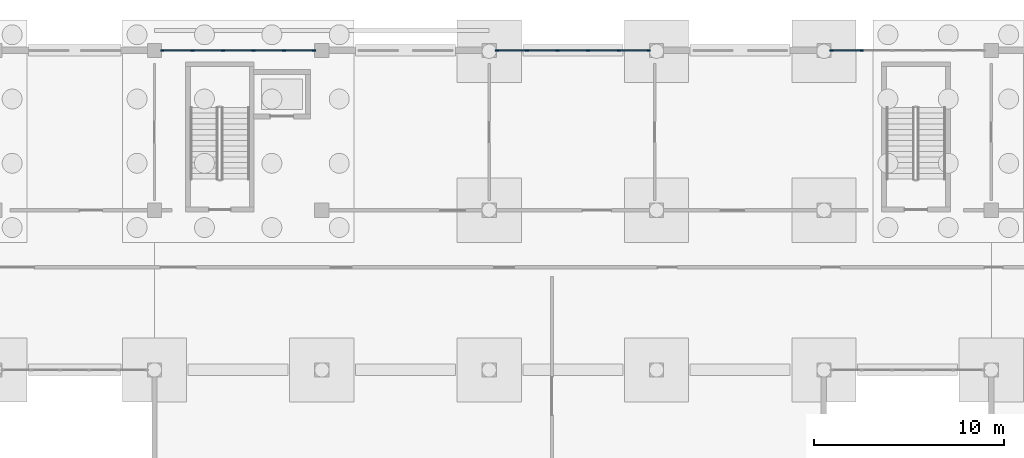
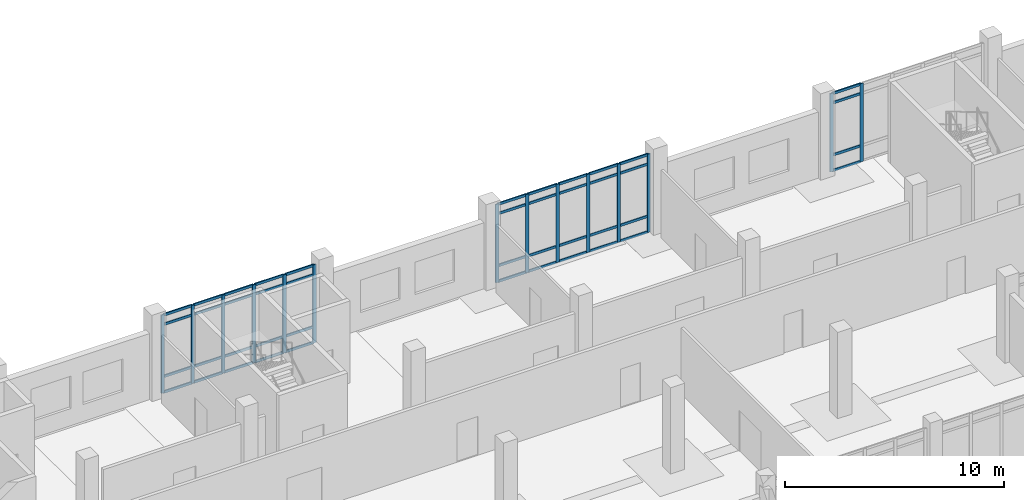
# One storey, part 23 of 72: 58 members, 3 elements without a shape of their own.
"""IFC4 building model written with IfcOpenShell, lengths in metres."""

from ifc_helpers import new_model, si_unit, direction, frame, origin, origin_2d, place, context, subcontext, project, spatial, rectangle, extrude, material, material_profile, profile_set, type_object, element, aggregate, save


model = new_model("IFC4")

# Units and contexts
model_context = context("Model", 3, precision=1e-05, world=origin(), true_north=direction((0.0, 1.0)))
body_context = subcontext(model_context, "Body", "Model", "MODEL_VIEW")
ifc_project = project(units=[si_unit("LENGTHUNIT", "METRE"), si_unit("AREAUNIT", "SQUARE_METRE"), si_unit("VOLUMEUNIT", "CUBIC_METRE"), si_unit("PLANEANGLEUNIT", "RADIAN"), si_unit("MASSUNIT", "GRAM", prefix="KILO")], contexts=[model_context])

# Site, building, storey
site_placement = place(None, origin())
site = spatial("IfcSite", under=ifc_project, at=site_placement, CompositionType="ELEMENT")
building_placement = place(site_placement, origin())
building = spatial("IfcBuilding", under=site, at=building_placement, Name="Cinderway Yard Community Centre", CompositionType="ELEMENT")
storey_placement = place(building_placement, origin())
storey = spatial("IfcBuildingStorey", under=building, at=storey_placement, Name="L00", CompositionType="ELEMENT", Elevation=0.0)

# Curtain wall, members
ifc_material = material(Name="Aluminium 6063-T6", Category="aluminium")
curtain_wall_type = type_object("IfcCurtainWallType", Name="ENV-CW-TYPE-25", PredefinedType="USERDEFINED", material=ifc_material)
curtain_wall_1_placement = place(storey_placement, origin())
curtain_wall_1 = element("IfcCurtainWall", 1, at=curtain_wall_1_placement, inside=storey, type_object=curtain_wall_type, Name="V4 Street Curtain Wall ENV-CW-L00-HS-0114", ObjectType="GLAZED CURTAIN WALL", PredefinedType="USERDEFINED")
ifc_material_profile_1 = material_profile(ifc_material, rectangle(XDim=0.06494140625, YDim=0.179931640625, at=origin_2d()), Name="Aluminium 6063-T6")
ifc_profile_set_1 = profile_set([ifc_material_profile_1], Name="Aluminium 6063-T6")
member_type_1 = type_object("IfcMemberType", Name="ENV-CW-MULL-180", PredefinedType="MULLION", material=ifc_profile_set_1)
member_1_placement = place(storey_placement, frame((75.610107421875, 115.199951171875, 0.0), z_axis=(0.0, 0.0, 1.0), x_axis=(0.0, 1.0, 0.0)))
member_1 = element("IfcMember", 2, at=member_1_placement, type_object=member_type_1, Name="CW-25 mullion 1", PredefinedType="MULLION", context=body_context, shape_type="SweptSolid", body=[
    extrude(rectangle(XDim=0.06494140625, YDim=0.179931640625, at=origin_2d()), origin(), (0.0, 0.0, 1.0), 4.35009765625),
])
member_2_placement = place(storey_placement, frame((77.18798828125, 115.199951171875, 0.0), z_axis=(0.0, 0.0, 1.0), x_axis=(0.0, 1.0, 0.0)))
member_2 = element("IfcMember", 3, at=member_2_placement, type_object=member_type_1, Name="CW-25 mullion 2", PredefinedType="MULLION", context=body_context, shape_type="SweptSolid", body=[
    extrude(rectangle(XDim=0.06494140625, YDim=0.179931640625, at=origin_2d()), origin(), (0.0, 0.0, 1.0), 4.35009765625),
])
member_3_placement = place(storey_placement, frame((78.7958984375, 115.199951171875, 0.0), z_axis=(0.0, 0.0, 1.0), x_axis=(0.0, 1.0, 0.0)))
member_3 = element("IfcMember", 4, at=member_3_placement, type_object=member_type_1, Name="CW-25 mullion 3", PredefinedType="MULLION", context=body_context, shape_type="SweptSolid", body=[
    extrude(rectangle(XDim=0.06494140625, YDim=0.179931640625, at=origin_2d()), origin(), (0.0, 0.0, 1.0), 4.35009765625),
])
member_4_placement = place(storey_placement, frame((80.404052734375, 115.199951171875, 0.0), z_axis=(0.0, 0.0, 1.0), x_axis=(0.0, 1.0, 0.0)))
member_4 = element("IfcMember", 5, at=member_4_placement, type_object=member_type_1, Name="CW-25 mullion 4", PredefinedType="MULLION", context=body_context, shape_type="SweptSolid", body=[
    extrude(rectangle(XDim=0.06494140625, YDim=0.179931640625, at=origin_2d()), origin(), (0.0, 0.0, 1.0), 4.35009765625),
])
member_5_placement = place(storey_placement, frame((82.011962890625, 115.199951171875, 0.0), z_axis=(0.0, 0.0, 1.0), x_axis=(0.0, 1.0, 0.0)))
member_5 = element("IfcMember", 6, at=member_5_placement, type_object=member_type_1, Name="CW-25 mullion 5", PredefinedType="MULLION", context=body_context, shape_type="SweptSolid", body=[
    extrude(rectangle(XDim=0.06494140625, YDim=0.179931640625, at=origin_2d()), origin(), (0.0, 0.0, 1.0), 4.35009765625),
])
member_6_placement = place(storey_placement, frame((83.590087890625, 115.199951171875, 0.0), z_axis=(0.0, 0.0, 1.0), x_axis=(0.0, 1.0, 0.0)))
member_6 = element("IfcMember", 7, at=member_6_placement, type_object=member_type_1, Name="CW-25 mullion 6", PredefinedType="MULLION", context=body_context, shape_type="SweptSolid", body=[
    extrude(rectangle(XDim=0.06494140625, YDim=0.179931640625, at=origin_2d()), origin(), (0.0, 0.0, 1.0), 4.35009765625),
])

curtain_wall_2_placement = place(storey_placement, origin())
curtain_wall_2 = element("IfcCurtainWall", 8, at=curtain_wall_2_placement, inside=storey, type_object=curtain_wall_type, Name="V4 Street Curtain Wall ENV-CW-L00-HS-0115", ObjectType="GLAZED CURTAIN WALL", PredefinedType="USERDEFINED")
member_7_placement = place(storey_placement, frame((93.2099609375, 115.199951171875, 0.0), z_axis=(0.0, 0.0, 1.0), x_axis=(0.0, 1.0, 0.0)))
member_7 = element("IfcMember", 9, at=member_7_placement, type_object=member_type_1, Name="CW-25 mullion 1", PredefinedType="MULLION", context=body_context, shape_type="SweptSolid", body=[
    extrude(rectangle(XDim=0.06494140625, YDim=0.179931640625, at=origin_2d()), origin(), (0.0, 0.0, 1.0), 4.35009765625),
])
member_8_placement = place(storey_placement, frame((94.7880859375, 115.199951171875, 0.0), z_axis=(0.0, 0.0, 1.0), x_axis=(0.0, 1.0, 0.0)))
member_8 = element("IfcMember", 10, at=member_8_placement, type_object=member_type_1, Name="CW-25 mullion 2", PredefinedType="MULLION", context=body_context, shape_type="SweptSolid", body=[
    extrude(rectangle(XDim=0.06494140625, YDim=0.179931640625, at=origin_2d()), origin(), (0.0, 0.0, 1.0), 4.35009765625),
])
member_9_placement = place(storey_placement, frame((96.39599609375, 115.199951171875, 0.0), z_axis=(0.0, 0.0, 1.0), x_axis=(0.0, 1.0, 0.0)))
member_9 = element("IfcMember", 11, at=member_9_placement, type_object=member_type_1, Name="CW-25 mullion 3", PredefinedType="MULLION", context=body_context, shape_type="SweptSolid", body=[
    extrude(rectangle(XDim=0.06494140625, YDim=0.179931640625, at=origin_2d()), origin(), (0.0, 0.0, 1.0), 4.35009765625),
])
member_10_placement = place(storey_placement, frame((98.00390625, 115.199951171875, 0.0), z_axis=(0.0, 0.0, 1.0), x_axis=(0.0, 1.0, 0.0)))
member_10 = element("IfcMember", 12, at=member_10_placement, type_object=member_type_1, Name="CW-25 mullion 4", PredefinedType="MULLION", context=body_context, shape_type="SweptSolid", body=[
    extrude(rectangle(XDim=0.06494140625, YDim=0.179931640625, at=origin_2d()), origin(), (0.0, 0.0, 1.0), 4.35009765625),
])
member_11_placement = place(storey_placement, frame((99.612060546875, 115.199951171875, 0.0), z_axis=(0.0, 0.0, 1.0), x_axis=(0.0, 1.0, 0.0)))
member_11 = element("IfcMember", 13, at=member_11_placement, type_object=member_type_1, Name="CW-25 mullion 5", PredefinedType="MULLION", context=body_context, shape_type="SweptSolid", body=[
    extrude(rectangle(XDim=0.06494140625, YDim=0.179931640625, at=origin_2d()), origin(), (0.0, 0.0, 1.0), 4.35009765625),
])
member_12_placement = place(storey_placement, frame((101.18994140625, 115.199951171875, 0.0), z_axis=(0.0, 0.0, 1.0), x_axis=(0.0, 1.0, 0.0)))
member_12 = element("IfcMember", 14, at=member_12_placement, type_object=member_type_1, Name="CW-25 mullion 6", PredefinedType="MULLION", context=body_context, shape_type="SweptSolid", body=[
    extrude(rectangle(XDim=0.06494140625, YDim=0.179931640625, at=origin_2d()), origin(), (0.0, 0.0, 1.0), 4.35009765625),
])

curtain_wall_3_placement = place(storey_placement, origin())
curtain_wall_3 = element("IfcCurtainWall", 15, at=curtain_wall_3_placement, inside=storey, type_object=curtain_wall_type, Name="V4 Street Curtain Wall ENV-CW-L00-HS-0118", ObjectType="GLAZED CURTAIN WALL", PredefinedType="USERDEFINED")
member_13_placement = place(storey_placement, frame((110.81005859375, 115.199951171875, 0.0), z_axis=(0.0, 0.0, 1.0), x_axis=(0.0, 1.0, 0.0)))
member_13 = element("IfcMember", 16, at=member_13_placement, type_object=member_type_1, Name="CW-25 mullion 1", PredefinedType="MULLION", context=body_context, shape_type="SweptSolid", body=[
    extrude(rectangle(XDim=0.06494140625, YDim=0.179931640625, at=origin_2d()), origin(), (0.0, 0.0, 1.0), 4.35009765625),
])
member_14_placement = place(storey_placement, frame((112.387939453125, 115.199951171875, 0.0), z_axis=(0.0, 0.0, 1.0), x_axis=(0.0, 1.0, 0.0)))
member_14 = element("IfcMember", 17, at=member_14_placement, type_object=member_type_1, Name="CW-25 mullion 2", PredefinedType="MULLION", context=body_context, shape_type="SweptSolid", body=[
    extrude(rectangle(XDim=0.06494140625, YDim=0.179931640625, at=origin_2d()), origin(), (0.0, 0.0, 1.0), 4.35009765625),
])

# Member
ifc_material_profile_2 = material_profile(ifc_material, rectangle(XDim=0.06494140625, YDim=0.139892578125, at=origin_2d()), Name="Aluminium 6063-T6")
ifc_profile_set_2 = profile_set([ifc_material_profile_2], Name="Aluminium 6063-T6")
member_type_2 = type_object("IfcMemberType", Name="ENV-CW-TRAN-140", PredefinedType="USERDEFINED", material=ifc_profile_set_2)
member_15_placement = place(storey_placement, frame((75.639892578125, 115.199951171875, 0.030029296875), z_axis=(1.0, 0.0, 0.0), x_axis=(0.0, 1.0, 0.0)))
member_15 = element("IfcMember", 18, at=member_15_placement, type_object=member_type_2, Name="CW-25 transom 1.1", ObjectType="TRANSOM", PredefinedType="USERDEFINED", context=body_context, shape_type="SweptSolid", body=[
    extrude(rectangle(XDim=0.06494140625, YDim=0.139892578125, at=origin_2d()), origin(), (0.0, 0.0, 1.0), 1.51806640625),
])

member_16_placement = place(storey_placement, frame((75.639892578125, 115.199951171875, 0.89990234375), z_axis=(1.0, 0.0, 0.0), x_axis=(0.0, 1.0, 0.0)))
member_16 = element("IfcMember", 19, at=member_16_placement, type_object=member_type_2, Name="CW-25 transom 1.2", ObjectType="TRANSOM", PredefinedType="USERDEFINED", context=body_context, shape_type="SweptSolid", body=[
    extrude(rectangle(XDim=0.06494140625, YDim=0.139892578125, at=origin_2d()), origin(), (0.0, 0.0, 1.0), 1.51806640625),
])

member_17_placement = place(storey_placement, frame((75.639892578125, 115.199951171875, 3.800048828125), z_axis=(1.0, 0.0, 0.0), x_axis=(0.0, 1.0, 0.0)))
member_17 = element("IfcMember", 20, at=member_17_placement, type_object=member_type_2, Name="CW-25 transom 1.3", ObjectType="TRANSOM", PredefinedType="USERDEFINED", context=body_context, shape_type="SweptSolid", body=[
    extrude(rectangle(XDim=0.06494140625, YDim=0.139892578125, at=origin_2d()), origin(), (0.0, 0.0, 1.0), 1.51806640625),
])

member_18_placement = place(storey_placement, frame((75.639892578125, 115.199951171875, 4.320068359375), z_axis=(1.0, 0.0, 0.0), x_axis=(0.0, 1.0, 0.0)))
member_18 = element("IfcMember", 21, at=member_18_placement, type_object=member_type_2, Name="CW-25 transom 1.4", ObjectType="TRANSOM", PredefinedType="USERDEFINED", context=body_context, shape_type="SweptSolid", body=[
    extrude(rectangle(XDim=0.06494140625, YDim=0.139892578125, at=origin_2d()), origin(), (0.0, 0.0, 1.0), 1.51806640625),
])

member_19_placement = place(storey_placement, frame((77.218017578125, 115.199951171875, 0.030029296875), z_axis=(1.0, 0.0, 0.0), x_axis=(0.0, 1.0, 0.0)))
member_19 = element("IfcMember", 22, at=member_19_placement, type_object=member_type_2, Name="CW-25 transom 2.1", ObjectType="TRANSOM", PredefinedType="USERDEFINED", context=body_context, shape_type="SweptSolid", body=[
    extrude(rectangle(XDim=0.06494140625, YDim=0.139892578125, at=origin_2d()), origin(), (0.0, 0.0, 1.0), 1.548095703125),
])

member_20_placement = place(storey_placement, frame((77.218017578125, 115.199951171875, 0.89990234375), z_axis=(1.0, 0.0, 0.0), x_axis=(0.0, 1.0, 0.0)))
member_20 = element("IfcMember", 23, at=member_20_placement, type_object=member_type_2, Name="CW-25 transom 2.2", ObjectType="TRANSOM", PredefinedType="USERDEFINED", context=body_context, shape_type="SweptSolid", body=[
    extrude(rectangle(XDim=0.06494140625, YDim=0.139892578125, at=origin_2d()), origin(), (0.0, 0.0, 1.0), 1.548095703125),
])

member_21_placement = place(storey_placement, frame((77.218017578125, 115.199951171875, 3.800048828125), z_axis=(1.0, 0.0, 0.0), x_axis=(0.0, 1.0, 0.0)))
member_21 = element("IfcMember", 24, at=member_21_placement, type_object=member_type_2, Name="CW-25 transom 2.3", ObjectType="TRANSOM", PredefinedType="USERDEFINED", context=body_context, shape_type="SweptSolid", body=[
    extrude(rectangle(XDim=0.06494140625, YDim=0.139892578125, at=origin_2d()), origin(), (0.0, 0.0, 1.0), 1.548095703125),
])

member_22_placement = place(storey_placement, frame((77.218017578125, 115.199951171875, 4.320068359375), z_axis=(1.0, 0.0, 0.0), x_axis=(0.0, 1.0, 0.0)))
member_22 = element("IfcMember", 25, at=member_22_placement, type_object=member_type_2, Name="CW-25 transom 2.4", ObjectType="TRANSOM", PredefinedType="USERDEFINED", context=body_context, shape_type="SweptSolid", body=[
    extrude(rectangle(XDim=0.06494140625, YDim=0.139892578125, at=origin_2d()), origin(), (0.0, 0.0, 1.0), 1.548095703125),
])

member_23_placement = place(storey_placement, frame((78.825927734375, 115.199951171875, 0.030029296875), z_axis=(1.0, 0.0, 0.0), x_axis=(0.0, 1.0, 0.0)))
member_23 = element("IfcMember", 26, at=member_23_placement, type_object=member_type_2, Name="CW-25 transom 3.1", ObjectType="TRANSOM", PredefinedType="USERDEFINED", context=body_context, shape_type="SweptSolid", body=[
    extrude(rectangle(XDim=0.06494140625, YDim=0.139892578125, at=origin_2d()), origin(), (0.0, 0.0, 1.0), 1.548095703125),
])

member_24_placement = place(storey_placement, frame((78.825927734375, 115.199951171875, 0.89990234375), z_axis=(1.0, 0.0, 0.0), x_axis=(0.0, 1.0, 0.0)))
member_24 = element("IfcMember", 27, at=member_24_placement, type_object=member_type_2, Name="CW-25 transom 3.2", ObjectType="TRANSOM", PredefinedType="USERDEFINED", context=body_context, shape_type="SweptSolid", body=[
    extrude(rectangle(XDim=0.06494140625, YDim=0.139892578125, at=origin_2d()), origin(), (0.0, 0.0, 1.0), 1.548095703125),
])

member_25_placement = place(storey_placement, frame((78.825927734375, 115.199951171875, 3.800048828125), z_axis=(1.0, 0.0, 0.0), x_axis=(0.0, 1.0, 0.0)))
member_25 = element("IfcMember", 28, at=member_25_placement, type_object=member_type_2, Name="CW-25 transom 3.3", ObjectType="TRANSOM", PredefinedType="USERDEFINED", context=body_context, shape_type="SweptSolid", body=[
    extrude(rectangle(XDim=0.06494140625, YDim=0.139892578125, at=origin_2d()), origin(), (0.0, 0.0, 1.0), 1.548095703125),
])

member_26_placement = place(storey_placement, frame((78.825927734375, 115.199951171875, 4.320068359375), z_axis=(1.0, 0.0, 0.0), x_axis=(0.0, 1.0, 0.0)))
member_26 = element("IfcMember", 29, at=member_26_placement, type_object=member_type_2, Name="CW-25 transom 3.4", ObjectType="TRANSOM", PredefinedType="USERDEFINED", context=body_context, shape_type="SweptSolid", body=[
    extrude(rectangle(XDim=0.06494140625, YDim=0.139892578125, at=origin_2d()), origin(), (0.0, 0.0, 1.0), 1.548095703125),
])

member_27_placement = place(storey_placement, frame((80.43408203125, 115.199951171875, 0.030029296875), z_axis=(1.0, 0.0, 0.0), x_axis=(0.0, 1.0, 0.0)))
member_27 = element("IfcMember", 30, at=member_27_placement, type_object=member_type_2, Name="CW-25 transom 4.1", ObjectType="TRANSOM", PredefinedType="USERDEFINED", context=body_context, shape_type="SweptSolid", body=[
    extrude(rectangle(XDim=0.06494140625, YDim=0.139892578125, at=origin_2d()), origin(), (0.0, 0.0, 1.0), 1.5478515625),
])

member_28_placement = place(storey_placement, frame((80.43408203125, 115.199951171875, 0.89990234375), z_axis=(1.0, 0.0, 0.0), x_axis=(0.0, 1.0, 0.0)))
member_28 = element("IfcMember", 31, at=member_28_placement, type_object=member_type_2, Name="CW-25 transom 4.2", ObjectType="TRANSOM", PredefinedType="USERDEFINED", context=body_context, shape_type="SweptSolid", body=[
    extrude(rectangle(XDim=0.06494140625, YDim=0.139892578125, at=origin_2d()), origin(), (0.0, 0.0, 1.0), 1.5478515625),
])

member_29_placement = place(storey_placement, frame((80.43408203125, 115.199951171875, 3.800048828125), z_axis=(1.0, 0.0, 0.0), x_axis=(0.0, 1.0, 0.0)))
member_29 = element("IfcMember", 32, at=member_29_placement, type_object=member_type_2, Name="CW-25 transom 4.3", ObjectType="TRANSOM", PredefinedType="USERDEFINED", context=body_context, shape_type="SweptSolid", body=[
    extrude(rectangle(XDim=0.06494140625, YDim=0.139892578125, at=origin_2d()), origin(), (0.0, 0.0, 1.0), 1.5478515625),
])

member_30_placement = place(storey_placement, frame((80.43408203125, 115.199951171875, 4.320068359375), z_axis=(1.0, 0.0, 0.0), x_axis=(0.0, 1.0, 0.0)))
member_30 = element("IfcMember", 33, at=member_30_placement, type_object=member_type_2, Name="CW-25 transom 4.4", ObjectType="TRANSOM", PredefinedType="USERDEFINED", context=body_context, shape_type="SweptSolid", body=[
    extrude(rectangle(XDim=0.06494140625, YDim=0.139892578125, at=origin_2d()), origin(), (0.0, 0.0, 1.0), 1.5478515625),
])

member_31_placement = place(storey_placement, frame((82.0419921875, 115.199951171875, 0.030029296875), z_axis=(1.0, 0.0, 0.0), x_axis=(0.0, 1.0, 0.0)))
member_31 = element("IfcMember", 34, at=member_31_placement, type_object=member_type_2, Name="CW-25 transom 5.1", ObjectType="TRANSOM", PredefinedType="USERDEFINED", context=body_context, shape_type="SweptSolid", body=[
    extrude(rectangle(XDim=0.06494140625, YDim=0.139892578125, at=origin_2d()), origin(), (0.0, 0.0, 1.0), 1.51806640625),
])

member_32_placement = place(storey_placement, frame((82.0419921875, 115.199951171875, 0.89990234375), z_axis=(1.0, 0.0, 0.0), x_axis=(0.0, 1.0, 0.0)))
member_32 = element("IfcMember", 35, at=member_32_placement, type_object=member_type_2, Name="CW-25 transom 5.2", ObjectType="TRANSOM", PredefinedType="USERDEFINED", context=body_context, shape_type="SweptSolid", body=[
    extrude(rectangle(XDim=0.06494140625, YDim=0.139892578125, at=origin_2d()), origin(), (0.0, 0.0, 1.0), 1.51806640625),
])

member_33_placement = place(storey_placement, frame((82.0419921875, 115.199951171875, 3.800048828125), z_axis=(1.0, 0.0, 0.0), x_axis=(0.0, 1.0, 0.0)))
member_33 = element("IfcMember", 36, at=member_33_placement, type_object=member_type_2, Name="CW-25 transom 5.3", ObjectType="TRANSOM", PredefinedType="USERDEFINED", context=body_context, shape_type="SweptSolid", body=[
    extrude(rectangle(XDim=0.06494140625, YDim=0.139892578125, at=origin_2d()), origin(), (0.0, 0.0, 1.0), 1.51806640625),
])

member_34_placement = place(storey_placement, frame((82.0419921875, 115.199951171875, 4.320068359375), z_axis=(1.0, 0.0, 0.0), x_axis=(0.0, 1.0, 0.0)))
member_34 = element("IfcMember", 37, at=member_34_placement, type_object=member_type_2, Name="CW-25 transom 5.4", ObjectType="TRANSOM", PredefinedType="USERDEFINED", context=body_context, shape_type="SweptSolid", body=[
    extrude(rectangle(XDim=0.06494140625, YDim=0.139892578125, at=origin_2d()), origin(), (0.0, 0.0, 1.0), 1.51806640625),
])

aggregate(curtain_wall_1, [member_1, member_2, member_3, member_4, member_5, member_6, member_15, member_16, member_17, member_18, member_19, member_20, member_21, member_22, member_23, member_24, member_25, member_26, member_27, member_28, member_29, member_30, member_31, member_32, member_33, member_34])

member_35_placement = place(storey_placement, frame((93.239990234375, 115.199951171875, 0.030029296875), z_axis=(1.0, 0.0, 0.0), x_axis=(0.0, 1.0, 0.0)))
member_35 = element("IfcMember", 38, at=member_35_placement, type_object=member_type_2, Name="CW-25 transom 1.1", ObjectType="TRANSOM", PredefinedType="USERDEFINED", context=body_context, shape_type="SweptSolid", body=[
    extrude(rectangle(XDim=0.06494140625, YDim=0.139892578125, at=origin_2d()), origin(), (0.0, 0.0, 1.0), 1.51806640625),
])

member_36_placement = place(storey_placement, frame((93.239990234375, 115.199951171875, 0.89990234375), z_axis=(1.0, 0.0, 0.0), x_axis=(0.0, 1.0, 0.0)))
member_36 = element("IfcMember", 39, at=member_36_placement, type_object=member_type_2, Name="CW-25 transom 1.2", ObjectType="TRANSOM", PredefinedType="USERDEFINED", context=body_context, shape_type="SweptSolid", body=[
    extrude(rectangle(XDim=0.06494140625, YDim=0.139892578125, at=origin_2d()), origin(), (0.0, 0.0, 1.0), 1.51806640625),
])

member_37_placement = place(storey_placement, frame((93.239990234375, 115.199951171875, 3.800048828125), z_axis=(1.0, 0.0, 0.0), x_axis=(0.0, 1.0, 0.0)))
member_37 = element("IfcMember", 40, at=member_37_placement, type_object=member_type_2, Name="CW-25 transom 1.3", ObjectType="TRANSOM", PredefinedType="USERDEFINED", context=body_context, shape_type="SweptSolid", body=[
    extrude(rectangle(XDim=0.06494140625, YDim=0.139892578125, at=origin_2d()), origin(), (0.0, 0.0, 1.0), 1.51806640625),
])

member_38_placement = place(storey_placement, frame((93.239990234375, 115.199951171875, 4.320068359375), z_axis=(1.0, 0.0, 0.0), x_axis=(0.0, 1.0, 0.0)))
member_38 = element("IfcMember", 41, at=member_38_placement, type_object=member_type_2, Name="CW-25 transom 1.4", ObjectType="TRANSOM", PredefinedType="USERDEFINED", context=body_context, shape_type="SweptSolid", body=[
    extrude(rectangle(XDim=0.06494140625, YDim=0.139892578125, at=origin_2d()), origin(), (0.0, 0.0, 1.0), 1.51806640625),
])

member_39_placement = place(storey_placement, frame((94.818115234375, 115.199951171875, 0.030029296875), z_axis=(1.0, 0.0, 0.0), x_axis=(0.0, 1.0, 0.0)))
member_39 = element("IfcMember", 42, at=member_39_placement, type_object=member_type_2, Name="CW-25 transom 2.1", ObjectType="TRANSOM", PredefinedType="USERDEFINED", context=body_context, shape_type="SweptSolid", body=[
    extrude(rectangle(XDim=0.06494140625, YDim=0.139892578125, at=origin_2d()), origin(), (0.0, 0.0, 1.0), 1.5478515625),
])

member_40_placement = place(storey_placement, frame((94.818115234375, 115.199951171875, 0.89990234375), z_axis=(1.0, 0.0, 0.0), x_axis=(0.0, 1.0, 0.0)))
member_40 = element("IfcMember", 43, at=member_40_placement, type_object=member_type_2, Name="CW-25 transom 2.2", ObjectType="TRANSOM", PredefinedType="USERDEFINED", context=body_context, shape_type="SweptSolid", body=[
    extrude(rectangle(XDim=0.06494140625, YDim=0.139892578125, at=origin_2d()), origin(), (0.0, 0.0, 1.0), 1.5478515625),
])

member_41_placement = place(storey_placement, frame((94.818115234375, 115.199951171875, 3.800048828125), z_axis=(1.0, 0.0, 0.0), x_axis=(0.0, 1.0, 0.0)))
member_41 = element("IfcMember", 44, at=member_41_placement, type_object=member_type_2, Name="CW-25 transom 2.3", ObjectType="TRANSOM", PredefinedType="USERDEFINED", context=body_context, shape_type="SweptSolid", body=[
    extrude(rectangle(XDim=0.06494140625, YDim=0.139892578125, at=origin_2d()), origin(), (0.0, 0.0, 1.0), 1.5478515625),
])

member_42_placement = place(storey_placement, frame((94.818115234375, 115.199951171875, 4.320068359375), z_axis=(1.0, 0.0, 0.0), x_axis=(0.0, 1.0, 0.0)))
member_42 = element("IfcMember", 45, at=member_42_placement, type_object=member_type_2, Name="CW-25 transom 2.4", ObjectType="TRANSOM", PredefinedType="USERDEFINED", context=body_context, shape_type="SweptSolid", body=[
    extrude(rectangle(XDim=0.06494140625, YDim=0.139892578125, at=origin_2d()), origin(), (0.0, 0.0, 1.0), 1.5478515625),
])

member_43_placement = place(storey_placement, frame((96.426025390625, 115.199951171875, 0.030029296875), z_axis=(1.0, 0.0, 0.0), x_axis=(0.0, 1.0, 0.0)))
member_43 = element("IfcMember", 46, at=member_43_placement, type_object=member_type_2, Name="CW-25 transom 3.1", ObjectType="TRANSOM", PredefinedType="USERDEFINED", context=body_context, shape_type="SweptSolid", body=[
    extrude(rectangle(XDim=0.06494140625, YDim=0.139892578125, at=origin_2d()), origin(), (0.0, 0.0, 1.0), 1.548095703125),
])

member_44_placement = place(storey_placement, frame((96.426025390625, 115.199951171875, 0.89990234375), z_axis=(1.0, 0.0, 0.0), x_axis=(0.0, 1.0, 0.0)))
member_44 = element("IfcMember", 47, at=member_44_placement, type_object=member_type_2, Name="CW-25 transom 3.2", ObjectType="TRANSOM", PredefinedType="USERDEFINED", context=body_context, shape_type="SweptSolid", body=[
    extrude(rectangle(XDim=0.06494140625, YDim=0.139892578125, at=origin_2d()), origin(), (0.0, 0.0, 1.0), 1.548095703125),
])

member_45_placement = place(storey_placement, frame((96.426025390625, 115.199951171875, 3.800048828125), z_axis=(1.0, 0.0, 0.0), x_axis=(0.0, 1.0, 0.0)))
member_45 = element("IfcMember", 48, at=member_45_placement, type_object=member_type_2, Name="CW-25 transom 3.3", ObjectType="TRANSOM", PredefinedType="USERDEFINED", context=body_context, shape_type="SweptSolid", body=[
    extrude(rectangle(XDim=0.06494140625, YDim=0.139892578125, at=origin_2d()), origin(), (0.0, 0.0, 1.0), 1.548095703125),
])

member_46_placement = place(storey_placement, frame((96.426025390625, 115.199951171875, 4.320068359375), z_axis=(1.0, 0.0, 0.0), x_axis=(0.0, 1.0, 0.0)))
member_46 = element("IfcMember", 49, at=member_46_placement, type_object=member_type_2, Name="CW-25 transom 3.4", ObjectType="TRANSOM", PredefinedType="USERDEFINED", context=body_context, shape_type="SweptSolid", body=[
    extrude(rectangle(XDim=0.06494140625, YDim=0.139892578125, at=origin_2d()), origin(), (0.0, 0.0, 1.0), 1.548095703125),
])

member_47_placement = place(storey_placement, frame((98.033935546875, 115.199951171875, 0.030029296875), z_axis=(1.0, 0.0, 0.0), x_axis=(0.0, 1.0, 0.0)))
member_47 = element("IfcMember", 50, at=member_47_placement, type_object=member_type_2, Name="CW-25 transom 4.1", ObjectType="TRANSOM", PredefinedType="USERDEFINED", context=body_context, shape_type="SweptSolid", body=[
    extrude(rectangle(XDim=0.06494140625, YDim=0.139892578125, at=origin_2d()), origin(), (0.0, 0.0, 1.0), 1.548095703125),
])

member_48_placement = place(storey_placement, frame((98.033935546875, 115.199951171875, 0.89990234375), z_axis=(1.0, 0.0, 0.0), x_axis=(0.0, 1.0, 0.0)))
member_48 = element("IfcMember", 51, at=member_48_placement, type_object=member_type_2, Name="CW-25 transom 4.2", ObjectType="TRANSOM", PredefinedType="USERDEFINED", context=body_context, shape_type="SweptSolid", body=[
    extrude(rectangle(XDim=0.06494140625, YDim=0.139892578125, at=origin_2d()), origin(), (0.0, 0.0, 1.0), 1.548095703125),
])

member_49_placement = place(storey_placement, frame((98.033935546875, 115.199951171875, 3.800048828125), z_axis=(1.0, 0.0, 0.0), x_axis=(0.0, 1.0, 0.0)))
member_49 = element("IfcMember", 52, at=member_49_placement, type_object=member_type_2, Name="CW-25 transom 4.3", ObjectType="TRANSOM", PredefinedType="USERDEFINED", context=body_context, shape_type="SweptSolid", body=[
    extrude(rectangle(XDim=0.06494140625, YDim=0.139892578125, at=origin_2d()), origin(), (0.0, 0.0, 1.0), 1.548095703125),
])

member_50_placement = place(storey_placement, frame((98.033935546875, 115.199951171875, 4.320068359375), z_axis=(1.0, 0.0, 0.0), x_axis=(0.0, 1.0, 0.0)))
member_50 = element("IfcMember", 53, at=member_50_placement, type_object=member_type_2, Name="CW-25 transom 4.4", ObjectType="TRANSOM", PredefinedType="USERDEFINED", context=body_context, shape_type="SweptSolid", body=[
    extrude(rectangle(XDim=0.06494140625, YDim=0.139892578125, at=origin_2d()), origin(), (0.0, 0.0, 1.0), 1.548095703125),
])

member_51_placement = place(storey_placement, frame((99.64208984375, 115.199951171875, 0.030029296875), z_axis=(1.0, 0.0, 0.0), x_axis=(0.0, 1.0, 0.0)))
member_51 = element("IfcMember", 54, at=member_51_placement, type_object=member_type_2, Name="CW-25 transom 5.1", ObjectType="TRANSOM", PredefinedType="USERDEFINED", context=body_context, shape_type="SweptSolid", body=[
    extrude(rectangle(XDim=0.06494140625, YDim=0.139892578125, at=origin_2d()), origin(), (0.0, 0.0, 1.0), 1.517822265625),
])

member_52_placement = place(storey_placement, frame((99.64208984375, 115.199951171875, 0.89990234375), z_axis=(1.0, 0.0, 0.0), x_axis=(0.0, 1.0, 0.0)))
member_52 = element("IfcMember", 55, at=member_52_placement, type_object=member_type_2, Name="CW-25 transom 5.2", ObjectType="TRANSOM", PredefinedType="USERDEFINED", context=body_context, shape_type="SweptSolid", body=[
    extrude(rectangle(XDim=0.06494140625, YDim=0.139892578125, at=origin_2d()), origin(), (0.0, 0.0, 1.0), 1.517822265625),
])

member_53_placement = place(storey_placement, frame((99.64208984375, 115.199951171875, 3.800048828125), z_axis=(1.0, 0.0, 0.0), x_axis=(0.0, 1.0, 0.0)))
member_53 = element("IfcMember", 56, at=member_53_placement, type_object=member_type_2, Name="CW-25 transom 5.3", ObjectType="TRANSOM", PredefinedType="USERDEFINED", context=body_context, shape_type="SweptSolid", body=[
    extrude(rectangle(XDim=0.06494140625, YDim=0.139892578125, at=origin_2d()), origin(), (0.0, 0.0, 1.0), 1.517822265625),
])

member_54_placement = place(storey_placement, frame((99.64208984375, 115.199951171875, 4.320068359375), z_axis=(1.0, 0.0, 0.0), x_axis=(0.0, 1.0, 0.0)))
member_54 = element("IfcMember", 57, at=member_54_placement, type_object=member_type_2, Name="CW-25 transom 5.4", ObjectType="TRANSOM", PredefinedType="USERDEFINED", context=body_context, shape_type="SweptSolid", body=[
    extrude(rectangle(XDim=0.06494140625, YDim=0.139892578125, at=origin_2d()), origin(), (0.0, 0.0, 1.0), 1.517822265625),
])

aggregate(curtain_wall_2, [member_7, member_8, member_9, member_10, member_11, member_12, member_35, member_36, member_37, member_38, member_39, member_40, member_41, member_42, member_43, member_44, member_45, member_46, member_47, member_48, member_49, member_50, member_51, member_52, member_53, member_54])

member_55_placement = place(storey_placement, frame((110.840087890625, 115.199951171875, 0.030029296875), z_axis=(1.0, 0.0, 0.0), x_axis=(0.0, 1.0, 0.0)))
member_55 = element("IfcMember", 58, at=member_55_placement, type_object=member_type_2, Name="CW-25 transom 1.1", ObjectType="TRANSOM", PredefinedType="USERDEFINED", context=body_context, shape_type="SweptSolid", body=[
    extrude(rectangle(XDim=0.06494140625, YDim=0.139892578125, at=origin_2d()), origin(), (0.0, 0.0, 1.0), 1.517822265625),
])

member_56_placement = place(storey_placement, frame((110.840087890625, 115.199951171875, 0.89990234375), z_axis=(1.0, 0.0, 0.0), x_axis=(0.0, 1.0, 0.0)))
member_56 = element("IfcMember", 59, at=member_56_placement, type_object=member_type_2, Name="CW-25 transom 1.2", ObjectType="TRANSOM", PredefinedType="USERDEFINED", context=body_context, shape_type="SweptSolid", body=[
    extrude(rectangle(XDim=0.06494140625, YDim=0.139892578125, at=origin_2d()), origin(), (0.0, 0.0, 1.0), 1.517822265625),
])

member_57_placement = place(storey_placement, frame((110.840087890625, 115.199951171875, 3.800048828125), z_axis=(1.0, 0.0, 0.0), x_axis=(0.0, 1.0, 0.0)))
member_57 = element("IfcMember", 60, at=member_57_placement, type_object=member_type_2, Name="CW-25 transom 1.3", ObjectType="TRANSOM", PredefinedType="USERDEFINED", context=body_context, shape_type="SweptSolid", body=[
    extrude(rectangle(XDim=0.06494140625, YDim=0.139892578125, at=origin_2d()), origin(), (0.0, 0.0, 1.0), 1.517822265625),
])

member_58_placement = place(storey_placement, frame((110.840087890625, 115.199951171875, 4.320068359375), z_axis=(1.0, 0.0, 0.0), x_axis=(0.0, 1.0, 0.0)))
member_58 = element("IfcMember", 61, at=member_58_placement, type_object=member_type_2, Name="CW-25 transom 1.4", ObjectType="TRANSOM", PredefinedType="USERDEFINED", context=body_context, shape_type="SweptSolid", body=[
    extrude(rectangle(XDim=0.06494140625, YDim=0.139892578125, at=origin_2d()), origin(), (0.0, 0.0, 1.0), 1.517822265625),
])

aggregate(curtain_wall_3, [member_13, member_14, member_55, member_56, member_57, member_58])

save(model, "model.ifc")
